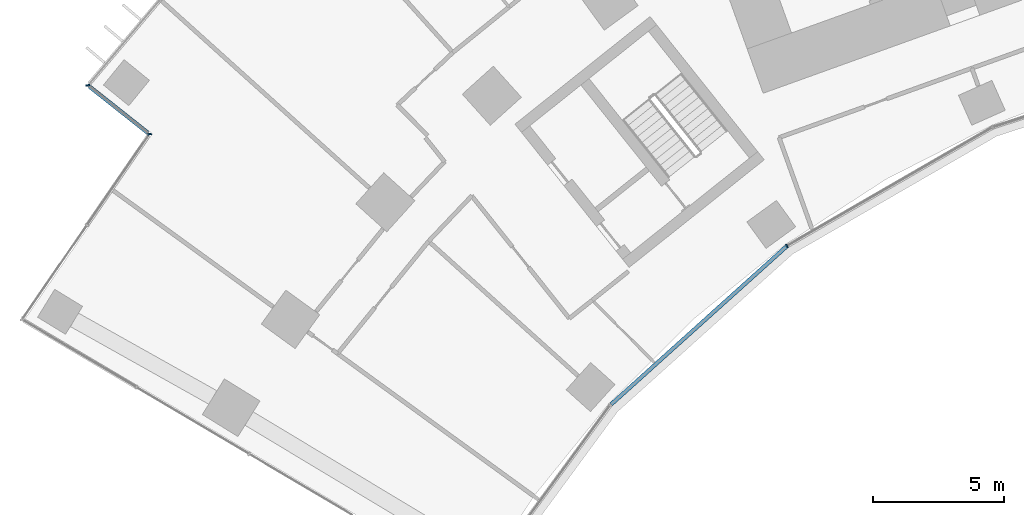
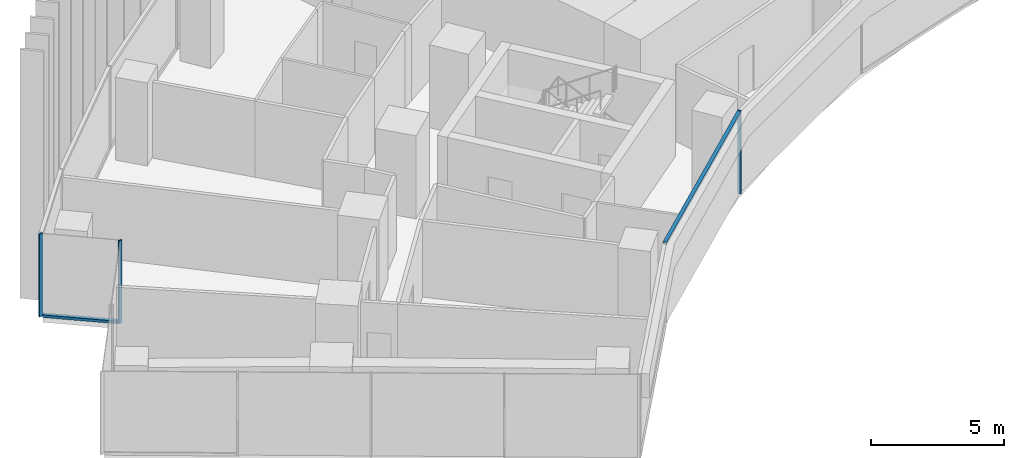
# One storey, part 3 of 24: 5 members, 3 elements without a shape of their own.
"""IFC4 building model written with IfcOpenShell, lengths in metres."""

from ifc_helpers import new_model, si_unit, direction, frame, origin, origin_2d, place, context, subcontext, project, spatial, rectangle, extrude, material, layer, layer_set, material_profile, profile_set, type_object, element, aggregate, save


model = new_model("IFC4")

# Units and contexts
model_context = context("Model", 3, precision=1e-05, world=origin(), true_north=direction((0.0, 1.0)))
body_context = subcontext(model_context, "Body", "Model", "MODEL_VIEW")
ifc_project = project(units=[si_unit("LENGTHUNIT", "METRE"), si_unit("AREAUNIT", "SQUARE_METRE"), si_unit("VOLUMEUNIT", "CUBIC_METRE"), si_unit("PLANEANGLEUNIT", "RADIAN"), si_unit("MASSUNIT", "GRAM", prefix="KILO")], contexts=[model_context])

# Site, building, storey
site_placement = place(None, origin())
site = spatial("IfcSite", under=ifc_project, at=site_placement, CompositionType="ELEMENT")
building_placement = place(site_placement, origin())
building = spatial("IfcBuilding", under=site, at=building_placement, Name="Stone Belt Terrace Tower", CompositionType="ELEMENT")
storey_placement = place(building_placement, frame((0.0, 0.0, 41.39990234375)))
storey = spatial("IfcBuildingStorey", under=building, at=storey_placement, Name="L09", CompositionType="ELEMENT", Elevation=41.39990234375)

# Curtain wall, members
ifc_material = material(Name="Aluminium 6063-T6 anodised frame", Category="aluminium")
ifc_layer_1 = layer(ifc_material, 0.14990234375)
ifc_layer_set_1 = layer_set([ifc_layer_1], Name="CW-B unitised concave-face curtain wall")
curtain_wall_type_1 = type_object("IfcCurtainWallType", Name="CW-B unitised concave-face curtain wall", PredefinedType="NOTDEFINED", material=ifc_layer_set_1)
curtain_wall_1_placement = place(storey_placement, origin())
curtain_wall_1 = element("IfcCurtainWall", 1, at=curtain_wall_1_placement, inside=storey, type_object=curtain_wall_type_1, Name="CW-B concave face L09", PredefinedType="NOTDEFINED")
ifc_material_profile_1 = material_profile(ifc_material, rectangle(XDim=0.14990234375, YDim=0.050048828125, at=origin_2d()), Name="Aluminium 6063-T6 50x150")
ifc_profile_set_1 = profile_set([ifc_material_profile_1], Name="Aluminium 6063-T6 anodised frame")
member_type_1 = type_object("IfcMemberType", Name="CW-B mullion 50 x 150", PredefinedType="MULLION", material=ifc_profile_set_1)
member_1_placement = place(storey_placement, frame((-25.5244140625, 35.13134765625, 0.0), z_axis=(0.0, 0.0, 1.0), x_axis=(-0.587785252292, 0.809016994375, 0.0)))
member_1 = element("IfcMember", 2, at=member_1_placement, type_object=member_type_1, Name="CW-B mullion 3", PredefinedType="MULLION", context=body_context, shape_type="SweptSolid", body=[
    extrude(rectangle(XDim=0.14990234375, YDim=0.050048828125, at=origin_2d()), origin(), (0.0, 0.0, 1.0), 3.800048828125),
])
ifc_material_profile_2 = material_profile(ifc_material, rectangle(XDim=0.14990234375, YDim=0.1201171875, at=origin_2d()), Name="Aluminium 6063-T6 150x120")
ifc_profile_set_2 = profile_set([ifc_material_profile_2], Name="Aluminium 6063-T6 anodised frame")
member_type_2 = type_object("IfcMemberType", Name="CW-B transom 120 x 150", PredefinedType="USERDEFINED", material=ifc_profile_set_2)
member_2_placement = place(storey_placement, frame((-32.246826171875, 29.078369140625, 3.739990234375), z_axis=(0.74315136283, 0.669123345822, 0.0), x_axis=(-0.669123345822, 0.74315136283, 0.0)))
member_2 = element("IfcMember", 3, at=member_2_placement, type_object=member_type_2, Name="CW-B transom 2.1", ObjectType="TRANSOM", PredefinedType="USERDEFINED", context=body_context, shape_type="SweptSolid", body=[
    extrude(rectangle(XDim=0.14990234375, YDim=0.1201171875, at=origin_2d()), origin(), (0.0, 0.0, 1.0), 9.01318359375),
])
aggregate(curtain_wall_1, [member_1, member_2])

# Curtain wall, member
ifc_layer_2 = layer(ifc_material, 0.14990234375)
ifc_layer_set_2 = layer_set([ifc_layer_2], Name="CW-C stick curtain wall, horn ends and notches")
curtain_wall_type_2 = type_object("IfcCurtainWallType", Name="CW-C stick curtain wall, horn ends and notches", PredefinedType="NOTDEFINED", material=ifc_layer_set_2)
curtain_wall_2_placement = place(storey_placement, origin())
curtain_wall_2 = element("IfcCurtainWall", 4, at=curtain_wall_2_placement, inside=storey, type_object=curtain_wall_type_2, Name="CW-C notch face L09", PredefinedType="NOTDEFINED")
ifc_material_profile_3 = material_profile(ifc_material, rectangle(XDim=0.14990234375, YDim=0.06005859375, at=origin_2d()), Name="Aluminium 6063-T6 60x150")
ifc_profile_set_3 = profile_set([ifc_material_profile_3], Name="Aluminium 6063-T6 anodised frame")
member_type_3 = type_object("IfcMemberType", Name="CW-C mullion 60 x 150", PredefinedType="MULLION", material=ifc_profile_set_3)
member_3_placement = place(storey_placement, frame((-52.24072265625, 41.27294921875, 0.0), z_axis=(0.0, 0.0, 1.0), x_axis=(0.995023084308, 0.099644677203, 0.0)))
member_3 = element("IfcMember", 5, at=member_3_placement, type_object=member_type_3, Name="CW-C mullion 1", PredefinedType="MULLION", context=body_context, shape_type="SweptSolid", body=[
    extrude(rectangle(XDim=0.14990234375, YDim=0.06005859375, at=origin_2d()), origin(), (0.0, 0.0, 1.0), 3.800048828125),
])

curtain_wall_3_placement = place(storey_placement, origin())
curtain_wall_3 = element("IfcCurtainWall", 6, at=curtain_wall_3_placement, inside=storey, type_object=curtain_wall_type_2, Name="CW-C notch face L09", PredefinedType="NOTDEFINED")
member_4_placement = place(storey_placement, frame((-49.88330078125, 39.406005859375, 0.0), z_axis=(0.0, 0.0, 1.0), x_axis=(0.988851375203, 0.14890586879, 0.0)))
member_4 = element("IfcMember", 7, at=member_4_placement, type_object=member_type_3, Name="CW-C mullion 1", PredefinedType="MULLION", context=body_context, shape_type="SweptSolid", body=[
    extrude(rectangle(XDim=0.14990234375, YDim=0.06005859375, at=origin_2d()), origin(), (0.0, 0.0, 1.0), 3.800048828125),
])
aggregate(curtain_wall_3, [member_4])

# Member
ifc_material_profile_4 = material_profile(ifc_material, rectangle(XDim=0.14990234375, YDim=0.1201171875, at=origin_2d()), Name="Aluminium 6063-T6 150x120")
ifc_profile_set_4 = profile_set([ifc_material_profile_4], Name="Aluminium 6063-T6 anodised frame")
member_type_4 = type_object("IfcMemberType", Name="CW-C transom 120 x 150", PredefinedType="USERDEFINED", material=ifc_profile_set_4)
member_5_placement = place(storey_placement, frame((-52.18212890625, 41.2265625, 0.06005859375), z_axis=(0.783966177893, -0.620803537297, 0.0), x_axis=(0.620803537297, 0.783966177893, 0.0)))
member_5 = element("IfcMember", 8, at=member_5_placement, type_object=member_type_4, Name="CW-C transom 1.1", ObjectType="TRANSOM", PredefinedType="USERDEFINED", context=body_context, shape_type="SweptSolid", body=[
    extrude(rectangle(XDim=0.14990234375, YDim=0.1201171875, at=origin_2d()), origin(), (0.0, 0.0, 1.0), 2.859375),
])

aggregate(curtain_wall_2, [member_3, member_5])

save(model, "model.ifc")
